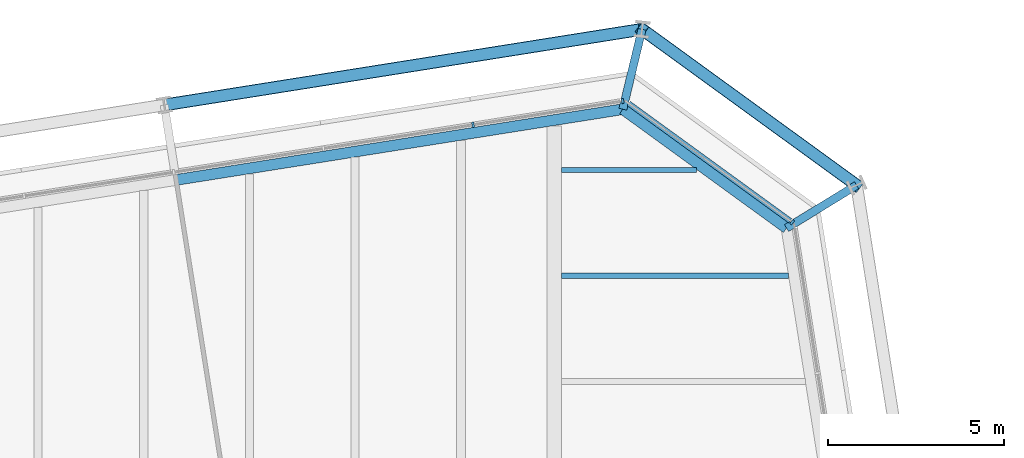
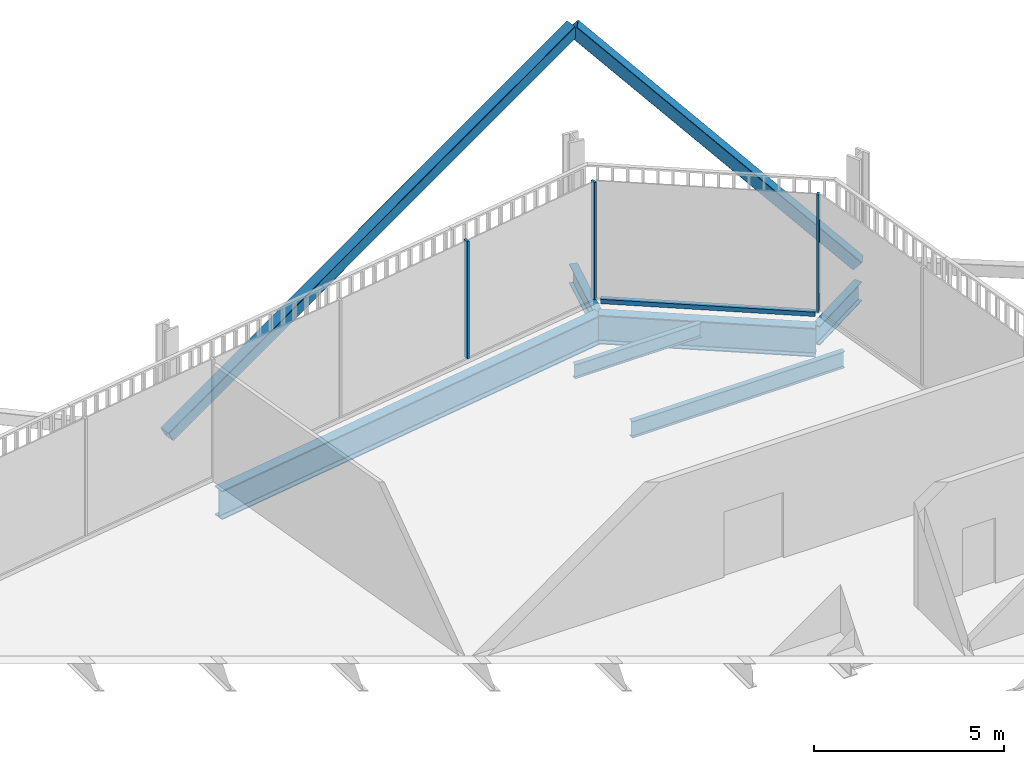
# One storey, part 16 of 22: 6 beams, 6 members, 2 elements without a shape of their own.
"""IFC4 building model written with IfcOpenShell, lengths in metres."""

from ifc_helpers import new_model, si_unit, direction, frame, origin, origin_2d, place, context, subcontext, project, spatial, rectangle, hollow_rectangle, i_section, extrude, material, layer, layer_set, material_profile, profile_set, type_object, element, aggregate, save


model = new_model("IFC4")

# Units and contexts
model_context = context("Model", 3, precision=1e-05, world=origin(), true_north=direction((0.0, 1.0)))
body_context = subcontext(model_context, "Body", "Model", "MODEL_VIEW")
ifc_project = project(units=[si_unit("LENGTHUNIT", "METRE"), si_unit("AREAUNIT", "SQUARE_METRE"), si_unit("VOLUMEUNIT", "CUBIC_METRE"), si_unit("PLANEANGLEUNIT", "RADIAN"), si_unit("MASSUNIT", "GRAM", prefix="KILO")], contexts=[model_context])

# Site, building, storey
site_placement = place(None, origin())
site = spatial("IfcSite", under=ifc_project, at=site_placement, CompositionType="ELEMENT")
building_placement = place(site_placement, origin())
building = spatial("IfcBuilding", under=site, at=building_placement, Name="Millrace Tower", CompositionType="ELEMENT")
storey_placement = place(building_placement, frame((0.0, 0.0, 145.10009765625)))
storey = spatial("IfcBuildingStorey", under=building, at=storey_placement, Name="L32", CompositionType="ELEMENT", Elevation=145.10009765625)

# Curtain wall, member
ifc_material_1 = material(Name="Aluminium and glass", Category="aluminium")
ifc_layer = layer(ifc_material_1, 0.14990234375)
ifc_layer_set = layer_set([ifc_layer], Name="Aluminium and glass")
curtain_wall_type = type_object("IfcCurtainWallType", Name="CW-1 office vision curtain wall", PredefinedType="NOTDEFINED", material=ifc_layer_set)
placement = place(storey_placement, origin())
curtain_wall_1 = element("IfcCurtainWall", 1, at=placement, inside=storey, type_object=curtain_wall_type, Name="Curtain wall C-F05 L32", PredefinedType="NOTDEFINED")
ifc_material_2 = material(Name="Aluminium", Category="aluminium")
ifc_material_profile_1 = material_profile(ifc_material_2, rectangle(XDim=0.06494140625, YDim=0.14990234375, at=origin_2d()))
ifc_profile_set_1 = profile_set([ifc_material_profile_1], Name="Aluminium")
member_type_1 = type_object("IfcMemberType", Name="CW-1 office vision curtain wall mullion", PredefinedType="MULLION", material=ifc_profile_set_1)
member_1_placement = place(storey_placement, frame((21.4013671875, 22.517822265625, 0.139892578125), z_axis=(0.0, 0.0, 1.0), x_axis=(-0.809016981623, 0.587785269844, 0.0)))
member_1 = element("IfcMember", 2, at=member_1_placement, type_object=member_type_1, Name="CW1 mullion C-F05.1", PredefinedType="MULLION", context=body_context, shape_type="SweptSolid", body=[
    extrude(rectangle(XDim=0.06494140625, YDim=0.14990234375, at=origin_2d()), origin(), (0.0, 0.0, 1.0), 3.760009765625),
])

# Curtain wall, members
curtain_wall_2 = element("IfcCurtainWall", 3, at=placement, inside=storey, type_object=curtain_wall_type, Name="Curtain wall C-F06 L32", PredefinedType="NOTDEFINED")
member_2_placement = place(storey_placement, frame((16.591796875, 25.956787109375, 0.139892578125), z_axis=(0.0, 0.0, 1.0), x_axis=(-0.98768833929, -0.15643447328, 0.0)))
member_2 = element("IfcMember", 4, at=member_2_placement, type_object=member_type_1, Name="CW1 mullion C-F06.1", PredefinedType="MULLION", context=body_context, shape_type="SweptSolid", body=[
    extrude(rectangle(XDim=0.06494140625, YDim=0.14990234375, at=origin_2d()), origin(), (0.0, 0.0, 1.0), 3.760009765625),
])
member_3_placement = place(storey_placement, frame((12.3447265625, 25.283935546875, 0.139892578125), z_axis=(0.0, 0.0, 1.0), x_axis=(-0.98768833929, -0.15643447328, 0.0)))
member_3 = element("IfcMember", 5, at=member_3_placement, type_object=member_type_1, Name="CW1 mullion C-F06.2", PredefinedType="MULLION", context=body_context, shape_type="SweptSolid", body=[
    extrude(rectangle(XDim=0.06494140625, YDim=0.14990234375, at=origin_2d()), origin(), (0.0, 0.0, 1.0), 3.760009765625),
])
aggregate(curtain_wall_2, [member_2, member_3])

# Member
ifc_material_3 = material(Name="Aluminium", Category="aluminium")
ifc_material_profile_2 = material_profile(ifc_material_3, rectangle(XDim=0.14990234375, YDim=0.139892578125, at=origin_2d()))
ifc_profile_set_2 = profile_set([ifc_material_profile_2], Name="Aluminium")
member_type_2 = type_object("IfcMemberType", Name="CW-1 office vision curtain wall transom", PredefinedType="USERDEFINED", material=ifc_profile_set_2)
member_4_placement = place(storey_placement, frame((21.346923828125, 22.557373046875, 0.06982421875), z_axis=(-0.809013470651, 0.587790102252, 0.0), x_axis=(-0.587790102252, -0.809013470651, 0.0)))
member_4 = element("IfcMember", 6, at=member_4_placement, type_object=member_type_2, Name="CW1 transom C-F05.1", ObjectType="TRANSOM", PredefinedType="USERDEFINED", context=body_context, shape_type="SweptSolid", body=[
    extrude(rectangle(XDim=0.14990234375, YDim=0.139892578125, at=origin_2d()), origin(), (0.0, 0.0, 1.0), 5.669189453125),
])

aggregate(curtain_wall_1, [member_1, member_4])

# Members
ifc_material_4 = material(Name="Steel ASTM A500 Grade C", Category="steel")
ifc_material_profile_3 = material_profile(ifc_material_4, hollow_rectangle(XDim=0.355712890625, YDim=0.355712890625, WallThickness=0.015869140625, InnerFilletRadius=0.008056640625, OuterFilletRadius=0.02392578125, at=origin_2d()))
ifc_profile_set_3 = profile_set([ifc_material_profile_3], Name="Steel ASTM A500 Grade C")
member_type_3 = type_object("IfcMemberType", Name="Exoskeleton brace HSS14x14x5/8", PredefinedType="BRACE", material=ifc_profile_set_3)
member_5_placement = place(storey_placement, frame((23.2294921875, 23.569091796875, 0.39990234375), z_axis=(-0.592387752691, 0.430389097037, 0.681059450866), x_axis=(-0.587780069364, -0.809020759968, 0.0)))
element("IfcMember", 7, at=member_5_placement, inside=storey, type_object=member_type_3, Name="BRC-C-L32-09", PredefinedType="BRACE", context=body_context, shape_type="SweptSolid", body=[
    extrude(hollow_rectangle(XDim=0.355712890625, YDim=0.355712890625, WallThickness=0.015869140625, InnerFilletRadius=0.008056640625, OuterFilletRadius=0.02392578125, at=origin_2d()), origin(), (0.0, 0.0, 1.0), 10.278076171875),
])
member_6_placement = place(storey_placement, frame((3.58154296875, 25.844970703125, 0.39990234375), z_axis=(0.879904612171, 0.139370908249, 0.454250617407), x_axis=(-0.156442906258, 0.987687003601, 0.0)))
element("IfcMember", 8, at=member_6_placement, inside=storey, type_object=member_type_3, Name="BRC-C-L32-10", PredefinedType="BRACE", context=body_context, shape_type="SweptSolid", body=[
    extrude(hollow_rectangle(XDim=0.355712890625, YDim=0.355712890625, WallThickness=0.015869140625, InnerFilletRadius=0.008056640625, OuterFilletRadius=0.02392578125, at=origin_2d()), origin(), (0.0, 0.0, 1.0), 15.409912109375),
])

# Beams
ifc_material_5 = material(Name="Steel ASTM A992 Grade 50", Category="steel")
ifc_material_profile_4 = material_profile(ifc_material_5, i_section(OverallWidth=0.15234375, OverallDepth=0.449462890625, WebThickness=0.007568359375, FlangeThickness=0.0107421875, FilletRadius=0.01025390625, at=origin_2d()))
ifc_profile_set_4 = profile_set([ifc_material_profile_4], Name="Steel ASTM A992 Grade 50")
beam_type_1 = type_object("IfcBeamType", Name="Floor beam W18x35", PredefinedType="JOIST", material=ifc_profile_set_4)
beam_1_placement = place(storey_placement, frame((14.859619140625, 24.0, -0.384765625), z_axis=(1.0, 0.0, 0.0), x_axis=(0.0, 1.0, 0.0)))
element("IfcBeam", 9, at=beam_1_placement, inside=storey, type_object=beam_type_1, Name="BM-C-L32-S1-S038", PredefinedType="JOIST", context=body_context, shape_type="SweptSolid", body=[
    extrude(i_section(OverallWidth=0.15234375, OverallDepth=0.449462890625, WebThickness=0.007568359375, FlangeThickness=0.0107421875, FilletRadius=0.01025390625, at=origin_2d()), origin(), (0.0, 0.0, 1.0), 3.8232421875),
])
ifc_material_6 = material(Name="Steel ASTM A992 Grade 50", Category="steel")
ifc_material_profile_5 = material_profile(ifc_material_6, i_section(OverallWidth=0.1650390625, OverallDepth=0.52587890625, WebThickness=0.0087890625, FlangeThickness=0.011474609375, FilletRadius=0.0126953125, at=origin_2d()))
ifc_profile_set_5 = profile_set([ifc_material_profile_5], Name="Steel ASTM A992 Grade 50")
beam_type_2 = type_object("IfcBeamType", Name="Floor beam W21x44", PredefinedType="JOIST", material=ifc_profile_set_5)
beam_2_placement = place(storey_placement, frame((14.859619140625, 21.0, -0.423095703125), z_axis=(1.0, 0.0, 0.0), x_axis=(0.0, 1.0, 0.0)))
element("IfcBeam", 10, at=beam_2_placement, inside=storey, type_object=beam_type_2, Name="BM-C-L32-S1-S037", PredefinedType="JOIST", context=body_context, shape_type="SweptSolid", body=[
    extrude(i_section(OverallWidth=0.1650390625, OverallDepth=0.52587890625, WebThickness=0.0087890625, FlangeThickness=0.011474609375, FilletRadius=0.0126953125, at=origin_2d()), origin(), (0.0, 0.0, 1.0), 6.440673828125),
])
ifc_material_7 = material(Name="Steel ASTM A992 Grade 50", Category="steel")
ifc_material_profile_6 = material_profile(ifc_material_7, i_section(OverallWidth=0.23046875, OverallDepth=0.6171875, WebThickness=0.01318359375, FlangeThickness=0.022216796875, FilletRadius=0.012939453125, at=origin_2d()))
ifc_profile_set_6 = profile_set([ifc_material_profile_6], Name="Steel ASTM A992 Grade 50")
beam_type_3 = type_object("IfcBeamType", Name="Link beam W24x94", PredefinedType="BEAM", material=ifc_profile_set_6)
beam_3_placement = place(storey_placement, frame((16.5966796875, 25.725830078125, -0.46875), z_axis=(0.233432364948, 0.972373041068, 0.0), x_axis=(-0.972373041068, 0.233432364948, 0.0)))
element("IfcBeam", 11, at=beam_3_placement, inside=storey, type_object=beam_type_3, Name="LNK-C-L32-S1-08", PredefinedType="BEAM", context=body_context, shape_type="SweptSolid", body=[
    extrude(i_section(OverallWidth=0.23046875, OverallDepth=0.6171875, WebThickness=0.01318359375, FlangeThickness=0.022216796875, FilletRadius=0.012939453125, at=origin_2d()), origin(), (0.0, 0.0, 1.0), 2.331298828125),
])
beam_4_placement = place(storey_placement, frame((21.241943359375, 22.35107421875, -0.46875), z_axis=(0.852631355792, 0.522512938711, 0.0), x_axis=(-0.522512938711, 0.852631355792, 0.0)))
element("IfcBeam", 12, at=beam_4_placement, inside=storey, type_object=beam_type_3, Name="LNK-C-L32-S1-09", PredefinedType="BEAM", context=body_context, shape_type="SweptSolid", body=[
    extrude(i_section(OverallWidth=0.23046875, OverallDepth=0.6171875, WebThickness=0.01318359375, FlangeThickness=0.022216796875, FilletRadius=0.012939453125, at=origin_2d()), origin(), (0.0, 0.0, 1.0), 2.3310546875),
])
ifc_material_8 = material(Name="Steel ASTM A992 Grade 50", Category="steel")
ifc_material_profile_7 = material_profile(ifc_material_8, i_section(OverallWidth=0.307373046875, OverallDepth=0.927001953125, WebThickness=0.01953125, FlangeThickness=0.031982421875, FilletRadius=0.01904296875, at=origin_2d()))
ifc_profile_set_7 = profile_set([ifc_material_profile_7], Name="Steel ASTM A992 Grade 50")
beam_type_4 = type_object("IfcBeamType", Name="Ring beam medium span W36x194", PredefinedType="SPANDREL", material=ifc_profile_set_7)
beam_5_placement = place(storey_placement, frame((3.91845703125, 23.718017578125, -0.62353515625), z_axis=(0.987690996996, 0.156417692264, 0.0), x_axis=(-0.156417692264, 0.987690996996, 0.0)))
element("IfcBeam", 13, at=beam_5_placement, inside=storey, type_object=beam_type_4, Name="RNG-C-L32-S1-07", PredefinedType="SPANDREL", context=body_context, shape_type="SweptSolid", body=[
    extrude(i_section(OverallWidth=0.307373046875, OverallDepth=0.927001953125, WebThickness=0.01953125, FlangeThickness=0.031982421875, FilletRadius=0.01904296875, at=origin_2d()), origin(), (0.0, 0.0, 1.0), 12.836181640625),
])
ifc_material_9 = material(Name="Steel ASTM A992 Grade 50", Category="steel")
ifc_material_profile_8 = material_profile(ifc_material_9, i_section(OverallWidth=0.307373046875, OverallDepth=0.927001953125, WebThickness=0.01953125, FlangeThickness=0.031982421875, FilletRadius=0.01904296875, at=origin_2d()))
ifc_profile_set_8 = profile_set([ifc_material_profile_8], Name="Steel ASTM A992 Grade 50")
beam_type_5 = type_object("IfcBeamType", Name="Ring beam short span W36x194", PredefinedType="SPANDREL", material=ifc_profile_set_8)
beam_6_placement = place(storey_placement, frame((16.5966796875, 25.725830078125, -0.62353515625), z_axis=(0.809035690681, -0.587759518174, 0.0), x_axis=(0.587759518174, 0.809035690681, 0.0)))
element("IfcBeam", 14, at=beam_6_placement, inside=storey, type_object=beam_type_5, Name="RNG-C-L32-S1-08", PredefinedType="SPANDREL", context=body_context, shape_type="SweptSolid", body=[
    extrude(i_section(OverallWidth=0.307373046875, OverallDepth=0.927001953125, WebThickness=0.01953125, FlangeThickness=0.031982421875, FilletRadius=0.01904296875, at=origin_2d()), origin(), (0.0, 0.0, 1.0), 5.74169921875),
])

save(model, "model.ifc")
